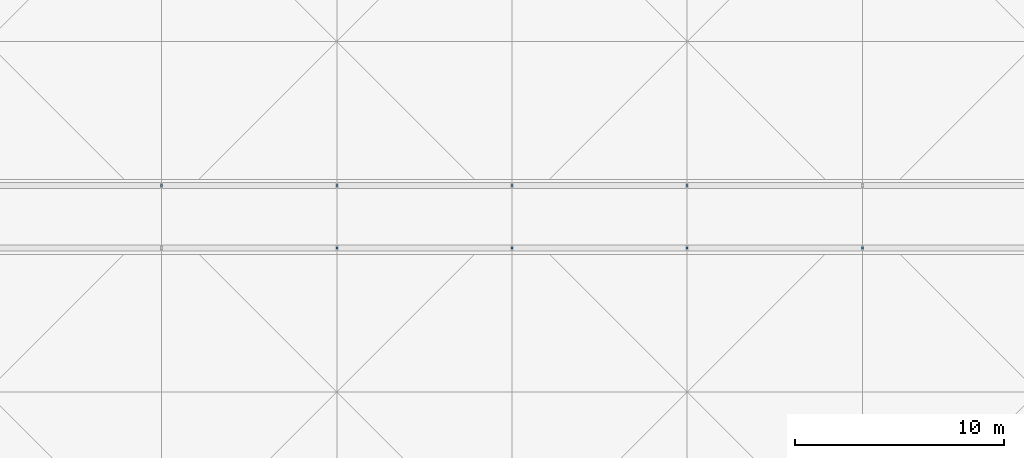
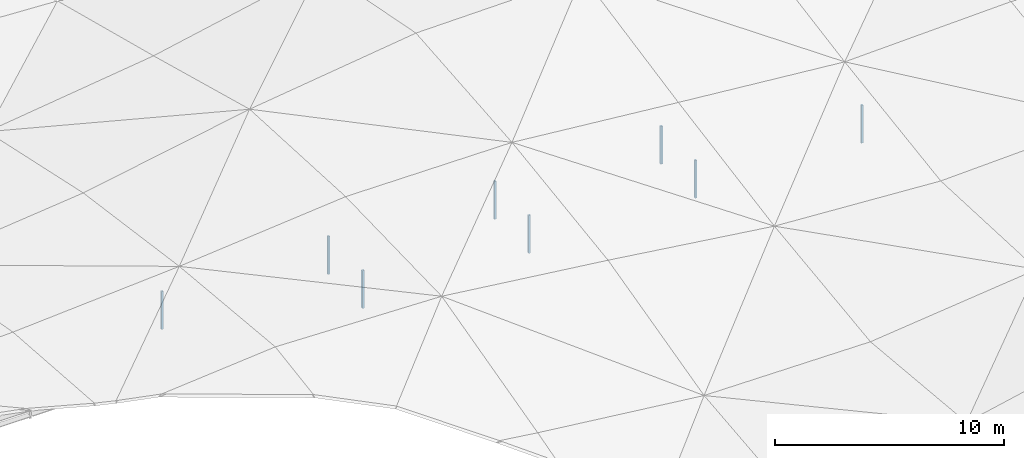
# One storey, part 5 of 46: 8 discrete accessories.
"""IFC4 building model written with IfcOpenShell, lengths in metres."""

import ifcopenshell
import ifcopenshell.guid

model = None  # the IFC model being written
_history = None  # IfcOwnerHistory: only IFC2X3 demands one
_inside = {}  # id of a spatial element -> (the spatial element, [elements in it])
_under = {}  # id of a project, library or spatial element -> (it, [spatial elements below it])
_declared = {}  # id of a project -> (the project, [libraries it declares])
_typed = {}  # id of a type object -> (the type object, [elements of that type])
_made_of = {}  # id of a material, layer set ... -> (it, [elements and type objects made of it])


def new_model(schema):
    """Start an empty IFC model of exactly this schema.

    Asked for "IFC4X3", IfcOpenShell would pick the latest addendum, in which some entities
    have other attributes; the version numbers below select the first issue.
    IFC2X3 requires an IfcOwnerHistory on every rooted entity: one is made here for all.
    """
    global model, _history
    if schema == "IFC4X3":
        model = ifcopenshell.file(schema_version=(4, 3, 0, 0))
    else:
        model = ifcopenshell.file(schema=schema)
    _inside.clear()
    _under.clear()
    _declared.clear()
    _typed.clear()
    _made_of.clear()
    _history = None
    if model.schema == "IFC2X3":
        org = make("IfcOrganization", Name="unknown")
        user = make(
            "IfcPersonAndOrganization",
            ThePerson=make("IfcPerson", FamilyName="unknown"),
            TheOrganization=org,
        )
        app = make(
            "IfcApplication",
            ApplicationDeveloper=org,
            Version="unknown",
            ApplicationFullName="unknown",
            ApplicationIdentifier="unknown",
        )
        _history = make(
            "IfcOwnerHistory",
            OwningUser=user,
            OwningApplication=app,
            ChangeAction="ADDED",
            CreationDate=0,
        )
    return model


def make(cls, **values):
    """One entity of the class cls with the attributes given. An attribute that is None is left unset."""
    return model.create_entity(
        cls, **{name: value for name, value in values.items() if value is not None}
    )


def rooted(cls, **values):
    """An entity with a GlobalId (a new one), such as an element, a storey or a relation."""
    return make(cls, GlobalId=ifcopenshell.guid.new(), OwnerHistory=_history, **values)


def si_unit(unit_type, name, prefix=None):
    """IfcSIUnit, for example si_unit("LENGTHUNIT", "METRE", prefix="MILLI")."""
    return make("IfcSIUnit", UnitType=unit_type, Prefix=prefix, Name=name)


def assignment(units):
    """IfcUnitAssignment: the units of a project."""
    return None if units is None else make("IfcUnitAssignment", Units=units)


def point(xyz):
    """IfcCartesianPoint."""
    return None if xyz is None else make("IfcCartesianPoint", Coordinates=xyz)


def direction(xyz):
    """IfcDirection."""
    return None if xyz is None else make("IfcDirection", DirectionRatios=xyz)


def frame(location, z_axis=None, x_axis=None):
    """IfcAxis2Placement3D, a coordinate frame: its origin and axes. An axis left out is left unset."""
    return make(
        "IfcAxis2Placement3D",
        Location=point(location),
        Axis=direction(z_axis),
        RefDirection=direction(x_axis),
    )


def frame_2d(location, x_axis=None):
    """IfcAxis2Placement2D, a coordinate frame in the plane: its origin and x axis."""
    return make(
        "IfcAxis2Placement2D", Location=point(location), RefDirection=direction(x_axis)
    )


def origin():
    """The frame at (0, 0, 0) with its axes left unset."""
    return frame((0.0, 0.0, 0.0))


def origin_2d():
    """The frame at (0, 0) in the plane with its x axis left unset."""
    return frame_2d((0.0, 0.0))


def place(relative_to, where):
    """IfcLocalPlacement: puts the frame where relative to a parent placement (None: the world)."""
    return make(
        "IfcLocalPlacement", PlacementRelTo=relative_to, RelativePlacement=where
    )


def context(
    kind, dimensions, precision=None, world=None, true_north=None, identifier=None
):
    """IfcGeometricRepresentationContext, for example the 3D "Model" context."""
    return make(
        "IfcGeometricRepresentationContext",
        ContextIdentifier=identifier,
        ContextType=kind,
        CoordinateSpaceDimension=dimensions,
        Precision=precision,
        WorldCoordinateSystem=world,
        TrueNorth=true_north,
    )


def subcontext(parent, identifier, kind, view, scale=None):
    """IfcGeometricRepresentationSubContext, for example "Body" below "Model"."""
    return make(
        "IfcGeometricRepresentationSubContext",
        ContextIdentifier=identifier,
        ContextType=kind,
        ParentContext=parent,
        TargetScale=scale,
        TargetView=view,
    )


def project(units=None, contexts=None):
    """IfcProject with its units and contexts."""
    return rooted(
        "IfcProject",
        Name="project",
        RepresentationContexts=contexts,
        UnitsInContext=assignment(units),
    )


def spatial(cls, under=None, at=None, **own):
    """A site, building, storey or space (cls), placed at a placement, below another one or the project."""
    s = rooted(cls, ObjectPlacement=at, **own)
    if under is not None:
        _under.setdefault(under.id(), (under, []))[1].append(s)
    return s


def profile(cls, at=None, kind="AREA", **sizes):
    """A parametric profile (cls). Its sizes go by their IFC names, for example OverallWidth=200.0."""
    return make(cls, ProfileType=kind, Position=at, **sizes)


def rectangle(**sizes):
    """IfcRectangleProfileDef."""
    return profile("IfcRectangleProfileDef", **sizes)


def extrude(swept, where, along, depth):
    """IfcExtrudedAreaSolid: the profile swept, set in the frame where, extruded along a direction by depth."""
    return make(
        "IfcExtrudedAreaSolid",
        SweptArea=swept,
        Position=where,
        ExtrudedDirection=direction(along),
        Depth=depth,
    )


def shape(context_of_items, identifier, shape_type, items):
    """IfcShapeRepresentation: the items that make up one representation, for example the "Body"."""
    return make(
        "IfcShapeRepresentation",
        ContextOfItems=context_of_items,
        RepresentationIdentifier=identifier,
        RepresentationType=shape_type,
        Items=items,
    )


def material(Name=None, Category=None):
    """IfcMaterial."""
    return make("IfcMaterial", Name=Name, Category=Category)


def layer(
    of_material, thickness, ventilated=None, Name=None, Category=None, Priority=None
):
    """IfcMaterialLayer: one layer of a wall or slab, of a material (None: an air gap)."""
    return make(
        "IfcMaterialLayer",
        Material=of_material,
        LayerThickness=thickness,
        IsVentilated=ventilated,
        Name=Name,
        Category=Category,
        Priority=Priority,
    )


def layer_set(layers, Name=None):
    """IfcMaterialLayerSet."""
    return make("IfcMaterialLayerSet", MaterialLayers=layers, LayerSetName=Name)


def made_of(thing, what):
    """Note that an element or type object is made of a material, layer set ...; save() writes the relation."""
    if what is not None:
        _made_of.setdefault(what.id(), (what, []))[1].append(thing)
    return thing


def type_object(cls, material=None, **own):
    """A type object (cls), such as IfcWallType, which elements share."""
    return made_of(rooted(cls, **own), material)


def element(
    cls,
    number,
    at=None,
    inside=None,
    cuts=None,
    type_object=None,
    material=None,
    context=None,
    identifier="Body",
    shape_type=None,
    held_by="IfcProductDefinitionShape",
    body=None,
    shapes=None,
    **own,
):
    """One element of the class cls, such as IfcWall. Its Tag is "e" and its number.

    at: its placement. inside: the storey or other place that contains it. cuts: it is an
    opening in that element (IfcRelVoidsElement). A single representation is given by context,
    identifier, shape_type and body (its items); several are given by shapes. held_by: the class
    of the entity that holds the representations. save() writes the other relations.
    """
    e = rooted(cls, Tag="e%d" % number, ObjectPlacement=at, **own)
    if body is not None:
        shapes = [shape(context, identifier, shape_type, body)]
    if shapes is not None:
        e.Representation = make(held_by, Representations=shapes)
    if inside is not None:
        _inside.setdefault(inside.id(), (inside, []))[1].append(e)
    if cuts is not None:
        rooted(
            "IfcRelVoidsElement", RelatingBuildingElement=cuts, RelatedOpeningElement=e
        )
    if type_object is not None:
        _typed.setdefault(type_object.id(), (type_object, []))[1].append(e)
    return made_of(e, material)


def aggregate(whole, parts):
    """IfcRelAggregates: a whole, such as a stair, and the parts it consists of."""
    return rooted("IfcRelAggregates", RelatingObject=whole, RelatedObjects=parts)


def save(model, path):
    """Write the relations noted so far, then the file.

    IfcRelAggregates (storeys below a building ...), IfcRelContainedInSpatialStructure (elements
    in a storey), IfcRelDefinesByType, IfcRelAssociatesMaterial and IfcRelDeclares: one each for
    every whole, place, type object, material and project.
    """
    for whole, parts in _under.values():
        aggregate(whole, parts)
    for where, things in _inside.values():
        rooted(
            "IfcRelContainedInSpatialStructure",
            RelatedElements=things,
            RelatingStructure=where,
        )
    for kind, things in _typed.values():
        rooted("IfcRelDefinesByType", RelatedObjects=things, RelatingType=kind)
    for what, things in _made_of.values():
        rooted("IfcRelAssociatesMaterial", RelatedObjects=things, RelatingMaterial=what)
    for by, libraries in _declared.values():
        rooted("IfcRelDeclares", RelatingContext=by, RelatedDefinitions=libraries)
    model.write(path)


model = new_model("IFC4")

# Units and contexts
model_context = context("Model", 3, precision=1e-05, world=origin(), true_north=direction((0.0, 1.0)))
body_context = subcontext(model_context, "Body", "Model", "MODEL_VIEW")
ifc_project = project(units=[si_unit("LENGTHUNIT", "METRE"), si_unit("AREAUNIT", "SQUARE_METRE"), si_unit("VOLUMEUNIT", "CUBIC_METRE"), si_unit("PLANEANGLEUNIT", "RADIAN"), si_unit("MASSUNIT", "GRAM", prefix="KILO")], contexts=[model_context])

# Site, building, storey
site_placement = place(None, origin())
site = spatial("IfcSite", under=ifc_project, at=site_placement, CompositionType="ELEMENT")
building_placement = place(site_placement, origin())
building = spatial("IfcBuilding", under=site, at=building_placement, Name="Rain Tree Exposition and Congress Centre", CompositionType="ELEMENT")
storey_placement = place(building_placement, frame((0.0, 0.0, 27.0)))
storey = spatial("IfcBuildingStorey", under=building, at=storey_placement, Name="ROOF VAULT CREST", CompositionType="ELEMENT", Elevation=27.0)

# Discrete accessories
ifc_material = material(Name="Steel S355J2", Category="steel")
ifc_layer = layer(ifc_material, 0.10009765625)
ifc_layer_set = layer_set([ifc_layer], Name="Steel S355J2")
discrete_accessory_type = type_object("IfcDiscreteAccessoryType", Name="Ridge lantern post 100", PredefinedType="BRACKET", material=ifc_layer_set)
for number, where, z_axis, x_axis, name in (
    (1, (50.39990234375, 149.699951171875, 0.0), (0.0, 0.0, 1.0), (1.0, 0.0, 0.0), "Lantern post S5"),
    (2, (58.800048828125, 149.699951171875, 0.0), (0.0, 0.0, 1.0), (1.0, 0.0, 0.0), "Lantern post S6"),
    (3, (67.199951171875, 149.699951171875, 0.0), (0.0, 0.0, 1.0), (1.0, 0.0, 0.0), "Lantern post S7"),
    (4, (75.60009765625, 149.699951171875, 0.0), (0.0, 0.0, 1.0), (1.0, 0.0, 0.0), "Lantern post S8"),
    (5, (42.0, 152.699951171875, 0.0), (0.0, 0.0, 1.0), (1.0, 0.0, 0.0), "Lantern post N4"),
    (6, (50.39990234375, 152.699951171875, 0.0), (0.0, 0.0, 1.0), (1.0, 0.0, 0.0), "Lantern post N5"),
    (7, (58.800048828125, 152.699951171875, 0.0), (0.0, 0.0, 1.0), (1.0, 0.0, 0.0), "Lantern post N6"),
    (8, (67.199951171875, 152.699951171875, 0.0), (0.0, 0.0, 1.0), (1.0, 0.0, 0.0), "Lantern post N7"),
):
    element("IfcDiscreteAccessory", number, at=place(storey_placement, frame(where, z_axis=z_axis, x_axis=x_axis)), inside=storey, type_object=discrete_accessory_type, Name=name, PredefinedType="BRACKET", context=body_context, shape_type="SweptSolid", body=[
        extrude(rectangle(XDim=0.10009765625, YDim=0.10009765625, at=origin_2d()), origin(), (0.0, 0.0, 1.0), 2.02001953125),
    ])

save(model, "model.ifc")
